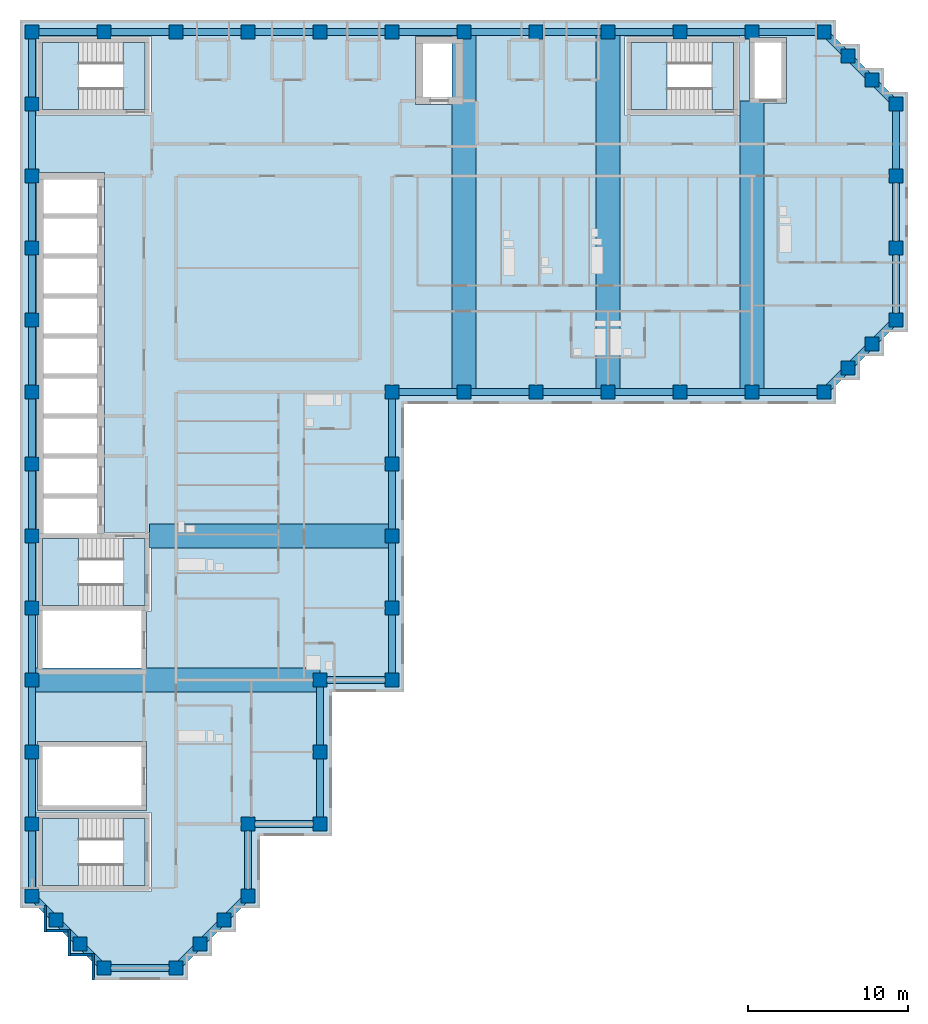
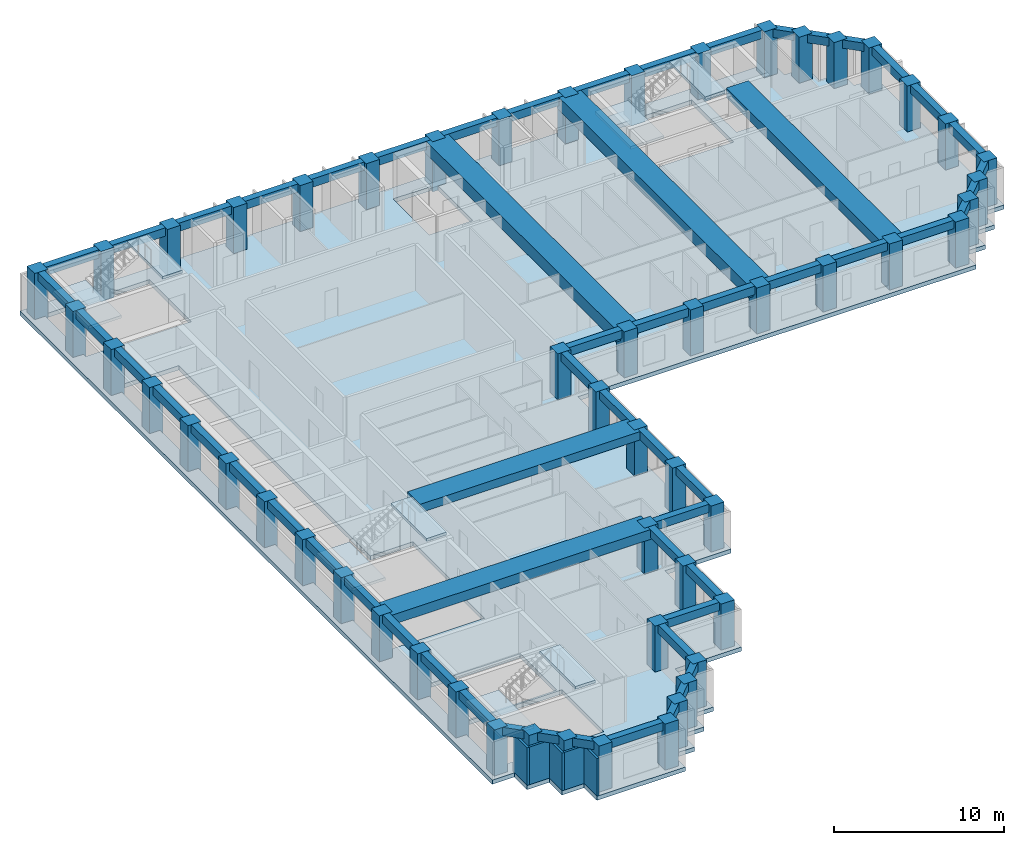
# One storey, part 1 of 10: 59 beams, 54 columns, 9 slabs, 5 walls, 4 elements without a shape of their own.
"""IFC4 building model written with IfcOpenShell, lengths in metres."""

from ifc_helpers import new_model, si_unit, direction, frame, frame_2d, origin, origin_2d, place, context, subcontext, project, spatial, polyline, rectangle, outline, extrude, material, layer, layer_set, material_profile, profile_set, type_object, element, aggregate, save


model = new_model("IFC4")

# Units and contexts
model_context = context("Model", 3, precision=1e-05, world=origin(), true_north=direction((0.0, 1.0)))
body_context = subcontext(model_context, "Body", "Model", "MODEL_VIEW")
ifc_project = project(units=[si_unit("LENGTHUNIT", "METRE"), si_unit("AREAUNIT", "SQUARE_METRE"), si_unit("VOLUMEUNIT", "CUBIC_METRE"), si_unit("PLANEANGLEUNIT", "RADIAN"), si_unit("MASSUNIT", "GRAM", prefix="KILO")], contexts=[model_context])

# Site, building, storey
site_placement = place(None, origin())
site = spatial("IfcSite", under=ifc_project, at=site_placement, CompositionType="ELEMENT")
building_placement = place(site_placement, origin())
building = spatial("IfcBuilding", under=site, at=building_placement, Name="Firuza Court", CompositionType="ELEMENT")
storey_placement = place(building_placement, frame((0.0, 0.0, 197.0)))
storey = spatial("IfcBuildingStorey", under=building, at=storey_placement, Name="L50", CompositionType="ELEMENT", Elevation=197.0)

# Columns
ifc_material_1 = material(Name="Concrete C50/60", Category="concrete")
ifc_material_profile_1 = material_profile(ifc_material_1, rectangle(XDim=0.89990234375, YDim=0.89990234375, at=origin_2d()), Name="RC 900x900")
ifc_profile_set_1 = profile_set([ifc_material_profile_1], Name="Concrete C50/60")
column_type = type_object("IfcColumnType", Name="Tube column RC 900x900 C50/60", PredefinedType="COLUMN", material=ifc_profile_set_1)
for number, where, z_axis, x_axis, name in (
    (1, (4.5, 0.0, -0.300048828125), (0.0, 0.0, 1.0), (1.0, 0.0, 0.0), "Column C-2D L50"),
    (2, (9.0, 0.0, -0.300048828125), (0.0, 0.0, 1.0), (1.0, 0.0, 0.0), "Column C-3D L50"),
    (3, (3.0, 1.5, -0.300048828125), (0.0, 0.0, 1.0), (1.0, 0.0, 0.0), "Column C-SA1 L50"),
    (4, (10.5, 1.5, -0.300048828125), (0.0, 0.0, 1.0), (1.0, 0.0, 0.0), "Column C-SA2 L50"),
    (5, (1.5, 3.0, -0.300048828125), (0.0, 0.0, 1.0), (1.0, 0.0, 0.0), "Column C-SA3 L50"),
    (6, (12.0, 3.0, -0.300048828125), (0.0, 0.0, 1.0), (1.0, 0.0, 0.0), "Column C-SA4 L50"),
    (7, (0.0, 4.5, -0.300048828125), (0.0, 0.0, 1.0), (1.0, 0.0, 0.0), "Column C-1E L50"),
    (8, (13.5, 4.5, -0.300048828125), (0.0, 0.0, 1.0), (1.0, 0.0, 0.0), "Column C-4E L50"),
    (9, (0.0, 9.0, -0.300048828125), (0.0, 0.0, 1.0), (1.0, 0.0, 0.0), "Column C-1F L50"),
    (10, (13.5, 9.0, -0.300048828125), (0.0, 0.0, 1.0), (1.0, 0.0, 0.0), "Column C-4F L50"),
    (11, (18.0, 9.0, -0.300048828125), (0.0, 0.0, 1.0), (1.0, 0.0, 0.0), "Column C-5F L50"),
    (12, (0.0, 13.5, -0.300048828125), (0.0, 0.0, 1.0), (1.0, 0.0, 0.0), "Column C-1G L50"),
    (13, (18.0, 13.5, -0.300048828125), (0.0, 0.0, 1.0), (1.0, 0.0, 0.0), "Column C-5G L50"),
    (14, (0.0, 18.0, -0.300048828125), (0.0, 0.0, 1.0), (1.0, 0.0, 0.0), "Column C-1H L50"),
    (15, (18.0, 18.0, -0.300048828125), (0.0, 0.0, 1.0), (1.0, 0.0, 0.0), "Column C-5H L50"),
    (16, (22.5, 18.0, -0.300048828125), (0.0, 0.0, 1.0), (1.0, 0.0, 0.0), "Column C-6H L50"),
    (17, (0.0, 22.5, -0.300048828125), (0.0, 0.0, 1.0), (1.0, 0.0, 0.0), "Column C-1J L50"),
    (18, (22.5, 22.5, -0.300048828125), (0.0, 0.0, 1.0), (1.0, 0.0, 0.0), "Column C-6J L50"),
    (19, (0.0, 27.0, -0.300048828125), (0.0, 0.0, 1.0), (1.0, 0.0, 0.0), "Column C-1K L50"),
    (20, (22.5, 27.0, -0.300048828125), (0.0, 0.0, 1.0), (1.0, 0.0, 0.0), "Column C-6K L50"),
    (21, (0.0, 31.5, -0.300048828125), (0.0, 0.0, 1.0), (1.0, 0.0, 0.0), "Column C-1L L50"),
    (22, (22.5, 31.5, -0.300048828125), (0.0, 0.0, 1.0), (1.0, 0.0, 0.0), "Column C-6L L50"),
    (23, (0.0, 36.0, -0.300048828125), (0.0, 0.0, 1.0), (1.0, 0.0, 0.0), "Column C-1M L50"),
    (24, (22.5, 36.0, -0.300048828125), (0.0, 0.0, 1.0), (1.0, 0.0, 0.0), "Column C-6M L50"),
    (25, (27.0, 36.0, -0.300048828125), (0.0, 0.0, 1.0), (1.0, 0.0, 0.0), "Column C-7M L50"),
    (26, (31.5, 36.0, -0.300048828125), (0.0, 0.0, 1.0), (1.0, 0.0, 0.0), "Column C-8M L50"),
    (27, (36.0, 36.0, -0.300048828125), (0.0, 0.0, 1.0), (1.0, 0.0, 0.0), "Column C-9M L50"),
    (28, (40.5, 36.0, -0.300048828125), (0.0, 0.0, 1.0), (1.0, 0.0, 0.0), "Column C-10M L50"),
    (29, (45.0, 36.0, -0.300048828125), (0.0, 0.0, 1.0), (1.0, 0.0, 0.0), "Column C-11M L50"),
    (30, (49.5, 36.0, -0.300048828125), (0.0, 0.0, 1.0), (1.0, 0.0, 0.0), "Column C-12M L50"),
    (31, (51.0, 37.5, -0.300048828125), (0.0, 0.0, 1.0), (1.0, 0.0, 0.0), "Column C-SA5 L50"),
    (32, (52.5, 39.0, -0.300048828125), (0.0, 0.0, 1.0), (1.0, 0.0, 0.0), "Column C-SA6 L50"),
    (33, (0.0, 40.5, -0.300048828125), (0.0, 0.0, 1.0), (1.0, 0.0, 0.0), "Column C-1N L50"),
    (34, (54.0, 40.5, -0.300048828125), (0.0, 0.0, 1.0), (1.0, 0.0, 0.0), "Column C-13N L50"),
    (35, (0.0, 45.0, -0.300048828125), (0.0, 0.0, 1.0), (1.0, 0.0, 0.0), "Column C-1P L50"),
    (36, (54.0, 45.0, -0.300048828125), (0.0, 0.0, 1.0), (1.0, 0.0, 0.0), "Column C-13P L50"),
    (37, (0.0, 49.5, -0.300048828125), (0.0, 0.0, 1.0), (1.0, 0.0, 0.0), "Column C-1Q L50"),
    (38, (54.0, 49.5, -0.300048828125), (0.0, 0.0, 1.0), (1.0, 0.0, 0.0), "Column C-13Q L50"),
    (39, (0.0, 54.0, -0.300048828125), (0.0, 0.0, 1.0), (1.0, 0.0, 0.0), "Column C-1R L50"),
    (40, (54.0, 54.0, -0.300048828125), (0.0, 0.0, 1.0), (1.0, 0.0, 0.0), "Column C-13R L50"),
    (41, (52.5, 55.5, -0.300048828125), (0.0, 0.0, 1.0), (1.0, 0.0, 0.0), "Column C-SA7 L50"),
    (42, (51.0, 57.0, -0.300048828125), (0.0, 0.0, 1.0), (1.0, 0.0, 0.0), "Column C-SA8 L50"),
    (43, (0.0, 58.5, -0.300048828125), (0.0, 0.0, 1.0), (1.0, 0.0, 0.0), "Column C-1S L50"),
    (44, (4.5, 58.5, -0.300048828125), (0.0, 0.0, 1.0), (1.0, 0.0, 0.0), "Column C-2S L50"),
    (45, (9.0, 58.5, -0.300048828125), (0.0, 0.0, 1.0), (1.0, 0.0, 0.0), "Column C-3S L50"),
    (46, (13.5, 58.5, -0.300048828125), (0.0, 0.0, 1.0), (1.0, 0.0, 0.0), "Column C-4S L50"),
    (47, (18.0, 58.5, -0.300048828125), (0.0, 0.0, 1.0), (1.0, 0.0, 0.0), "Column C-5S L50"),
    (48, (22.5, 58.5, -0.300048828125), (0.0, 0.0, 1.0), (1.0, 0.0, 0.0), "Column C-6S L50"),
    (49, (27.0, 58.5, -0.300048828125), (0.0, 0.0, 1.0), (1.0, 0.0, 0.0), "Column C-7S L50"),
    (50, (31.5, 58.5, -0.300048828125), (0.0, 0.0, 1.0), (1.0, 0.0, 0.0), "Column C-8S L50"),
    (51, (36.0, 58.5, -0.300048828125), (0.0, 0.0, 1.0), (1.0, 0.0, 0.0), "Column C-9S L50"),
    (52, (40.5, 58.5, -0.300048828125), (0.0, 0.0, 1.0), (1.0, 0.0, 0.0), "Column C-10S L50"),
    (53, (45.0, 58.5, -0.300048828125), (0.0, 0.0, 1.0), (1.0, 0.0, 0.0), "Column C-11S L50"),
    (54, (49.5, 58.5, -0.300048828125), (0.0, 0.0, 1.0), (1.0, 0.0, 0.0), "Column C-12S L50"),
):
    element("IfcColumn", number, at=place(storey_placement, frame(where, z_axis=z_axis, x_axis=x_axis)), inside=storey, type_object=column_type, Name=name, PredefinedType="COLUMN", context=body_context, shape_type="SweptSolid", body=[
        extrude(rectangle(XDim=0.89990234375, YDim=0.89990234375, at=origin_2d()), origin(), (0.0, 0.0, 1.0), 3.60009765625),
    ])

# Beams
ifc_material_2 = material(Name="Concrete C40/50", Category="concrete")
ifc_material_profile_2 = material_profile(ifc_material_2, rectangle(XDim=1.5, YDim=0.60009765625, at=origin_2d()), Name="RC 1500x600")
ifc_profile_set_2 = profile_set([ifc_material_profile_2], Name="Concrete C40/50")
beam_type_1 = type_object("IfcBeamType", Name="Band beam RC 1500x600 C40/50", PredefinedType="BEAM", material=ifc_profile_set_2)
beam_1_placement = place(storey_placement, frame((22.5, 27.0, 3.0), z_axis=(-1.0, 0.0, 0.0), x_axis=(0.0, -1.0, 0.0)))
element("IfcBeam", 55, at=beam_1_placement, inside=storey, type_object=beam_type_1, Name="Band beam FB3 level L51", PredefinedType="BEAM", context=body_context, shape_type="SweptSolid", body=[
    extrude(rectangle(XDim=1.5, YDim=0.60009765625, at=origin_2d()), origin(), (0.0, 0.0, 1.0), 15.14990234375),
])
ifc_material_3 = material(Name="Concrete C40/50", Category="concrete")
ifc_material_profile_3 = material_profile(ifc_material_3, rectangle(XDim=1.5, YDim=0.699951171875, at=origin_2d()), Name="RC 1500x700")
ifc_profile_set_3 = profile_set([ifc_material_profile_3], Name="Concrete C40/50")
beam_type_2 = type_object("IfcBeamType", Name="Band beam RC 1500x700 C40/50", PredefinedType="BEAM", material=ifc_profile_set_3)
beam_2_placement = place(storey_placement, frame((0.0, 18.0, 2.949951171875), z_axis=(1.0, 0.0, 0.0), x_axis=(0.0, 1.0, 0.0)))
element("IfcBeam", 56, at=beam_2_placement, inside=storey, type_object=beam_type_2, Name="Band beam FB1 level L51", PredefinedType="BEAM", context=body_context, shape_type="SweptSolid", body=[
    extrude(rectangle(XDim=1.5, YDim=0.699951171875, at=origin_2d()), origin(), (0.0, 0.0, 1.0), 18.0),
])
beam_3_placement = place(storey_placement, frame((45.0, 36.0, 2.949951171875), z_axis=(0.0, 1.0, 0.0), x_axis=(-1.0, 0.0, 0.0)))
element("IfcBeam", 57, at=beam_3_placement, inside=storey, type_object=beam_type_2, Name="Band beam FB1 level L51", PredefinedType="BEAM", context=body_context, shape_type="SweptSolid", body=[
    extrude(rectangle(XDim=1.5, YDim=0.699951171875, at=origin_2d()), origin(), (0.0, 0.0, 1.0), 18.199951171875),
])
ifc_material_4 = material(Name="Concrete C40/50", Category="concrete")
ifc_material_profile_4 = material_profile(ifc_material_4, rectangle(XDim=1.5, YDim=0.89990234375, at=origin_2d()), Name="RC 1500x900")
ifc_profile_set_4 = profile_set([ifc_material_profile_4], Name="Concrete C40/50")
beam_type_3 = type_object("IfcBeamType", Name="Band beam RC 1500x900 C40/50", PredefinedType="BEAM", material=ifc_profile_set_4)
for number, where, z_axis, x_axis, name in (
    (58, (27.0, 36.0, 2.85009765625), (0.0, 1.0, 0.0), (-1.0, 0.0, 0.0), "Band beam FB2 level L51"),
    (59, (36.0, 36.0, 2.85009765625), (0.0, 1.0, 0.0), (-1.0, 0.0, 0.0), "Band beam FB2 level L51"),
):
    element("IfcBeam", number, at=place(storey_placement, frame(where, z_axis=z_axis, x_axis=x_axis)), inside=storey, type_object=beam_type_3, Name=name, PredefinedType="BEAM", context=body_context, shape_type="SweptSolid", body=[
        extrude(rectangle(XDim=1.5, YDim=0.89990234375, at=origin_2d()), origin(), (0.0, 0.0, 1.0), 22.5),
    ])
ifc_material_5 = material(Name="Concrete C40/50", Category="concrete")
ifc_material_profile_5 = material_profile(ifc_material_5, rectangle(XDim=0.449951171875, YDim=0.60009765625, at=origin_2d()), Name="RC 450x600")
ifc_profile_set_5 = profile_set([ifc_material_profile_5], Name="Concrete C40/50")
beam_type_4 = type_object("IfcBeamType", Name="Spandrel beam RC 450x600 C40/50", PredefinedType="BEAM", material=ifc_profile_set_5)
beam_4_placement = place(storey_placement, frame((0.0, 4.5, 3.0), z_axis=(0.707106781187, -0.707106781187, 0.0), x_axis=(0.707106781187, 0.707106781187, 0.0)))
element("IfcBeam", 60, at=beam_4_placement, inside=storey, type_object=beam_type_4, Name="Spandrel beam SP15 level L51", PredefinedType="BEAM", context=body_context, shape_type="SweptSolid", body=[
    extrude(rectangle(XDim=0.449951171875, YDim=0.60009765625, at=origin_2d()), origin(), (0.0, 0.0, 1.0), 2.121337890625),
])
for number, where, z_axis, x_axis, name in (
    (61, (0.0, 9.0, 3.0), (0.0, -1.0, 0.0), (1.0, 0.0, 0.0), "Spandrel beam SP15 level L51"),
    (62, (0.0, 13.5, 3.0), (0.0, -1.0, 0.0), (1.0, 0.0, 0.0), "Spandrel beam SP15 level L51"),
    (63, (0.0, 18.0, 3.0), (0.0, -1.0, 0.0), (1.0, 0.0, 0.0), "Spandrel beam SP15 level L51"),
    (64, (0.0, 22.5, 3.0), (0.0, -1.0, 0.0), (1.0, 0.0, 0.0), "Spandrel beam SP15 level L51"),
    (65, (0.0, 27.0, 3.0), (0.0, -1.0, 0.0), (1.0, 0.0, 0.0), "Spandrel beam SP15 level L51"),
    (66, (0.0, 31.5, 3.0), (0.0, -1.0, 0.0), (1.0, 0.0, 0.0), "Spandrel beam SP15 level L51"),
    (67, (0.0, 36.0, 3.0), (0.0, -1.0, 0.0), (1.0, 0.0, 0.0), "Spandrel beam SP15 level L51"),
    (68, (0.0, 40.5, 3.0), (0.0, -1.0, 0.0), (1.0, 0.0, 0.0), "Spandrel beam SP15 level L51"),
    (69, (0.0, 45.0, 3.0), (0.0, -1.0, 0.0), (1.0, 0.0, 0.0), "Spandrel beam SP15 level L51"),
    (70, (0.0, 49.5, 3.0), (0.0, -1.0, 0.0), (1.0, 0.0, 0.0), "Spandrel beam SP15 level L51"),
    (71, (0.0, 54.0, 3.0), (0.0, -1.0, 0.0), (1.0, 0.0, 0.0), "Spandrel beam SP15 level L51"),
    (72, (0.0, 58.5, 3.0), (0.0, -1.0, 0.0), (1.0, 0.0, 0.0), "Spandrel beam SP15 level L51"),
):
    element("IfcBeam", number, at=place(storey_placement, frame(where, z_axis=z_axis, x_axis=x_axis)), inside=storey, type_object=beam_type_4, Name=name, PredefinedType="BEAM", context=body_context, shape_type="SweptSolid", body=[
        extrude(rectangle(XDim=0.449951171875, YDim=0.60009765625, at=origin_2d()), origin(), (0.0, 0.0, 1.0), 4.5),
    ])
for number, where, z_axis, x_axis, name in (
    (73, (1.5, 3.0, 3.0), (0.707106781187, -0.707106781187, 0.0), (0.707106781187, 0.707106781187, 0.0), "Spandrel beam SP15 level L51"),
    (74, (3.0, 1.5, 3.0), (0.707106781187, -0.707106781187, 0.0), (0.707106781187, 0.707106781187, 0.0), "Spandrel beam SP15 level L51"),
):
    element("IfcBeam", number, at=place(storey_placement, frame(where, z_axis=z_axis, x_axis=x_axis)), inside=storey, type_object=beam_type_4, Name=name, PredefinedType="BEAM", context=body_context, shape_type="SweptSolid", body=[
        extrude(rectangle(XDim=0.449951171875, YDim=0.60009765625, at=origin_2d()), origin(), (0.0, 0.0, 1.0), 2.121337890625),
    ])
for number, where, z_axis, x_axis, name in (
    (75, (4.5, 0.0, 3.0), (1.0, 0.0, 0.0), (0.0, 1.0, 0.0), "Spandrel beam SP15 level L51"),
    (76, (4.5, 58.5, 3.0), (-1.0, 0.0, 0.0), (0.0, -1.0, 0.0), "Spandrel beam SP15 level L51"),
):
    element("IfcBeam", number, at=place(storey_placement, frame(where, z_axis=z_axis, x_axis=x_axis)), inside=storey, type_object=beam_type_4, Name=name, PredefinedType="BEAM", context=body_context, shape_type="SweptSolid", body=[
        extrude(rectangle(XDim=0.449951171875, YDim=0.60009765625, at=origin_2d()), origin(), (0.0, 0.0, 1.0), 4.5),
    ])
beam_5_placement = place(storey_placement, frame((9.0, 0.0, 3.0), z_axis=(0.707106781187, 0.707106781187, 0.0), x_axis=(-0.707106781187, 0.707106781187, 0.0)))
element("IfcBeam", 77, at=beam_5_placement, inside=storey, type_object=beam_type_4, Name="Spandrel beam SP15 level L51", PredefinedType="BEAM", context=body_context, shape_type="SweptSolid", body=[
    extrude(rectangle(XDim=0.449951171875, YDim=0.60009765625, at=origin_2d()), origin(), (0.0, 0.0, 1.0), 2.121337890625),
])
beam_6_placement = place(storey_placement, frame((9.0, 58.5, 3.0), z_axis=(-1.0, 0.0, 0.0), x_axis=(0.0, -1.0, 0.0)))
element("IfcBeam", 78, at=beam_6_placement, inside=storey, type_object=beam_type_4, Name="Spandrel beam SP15 level L51", PredefinedType="BEAM", context=body_context, shape_type="SweptSolid", body=[
    extrude(rectangle(XDim=0.449951171875, YDim=0.60009765625, at=origin_2d()), origin(), (0.0, 0.0, 1.0), 4.5),
])
for number, where, z_axis, x_axis, name in (
    (79, (10.5, 1.5, 3.0), (0.707106781187, 0.707106781187, 0.0), (-0.707106781187, 0.707106781187, 0.0), "Spandrel beam SP15 level L51"),
    (80, (12.0, 3.0, 3.0), (0.707106781187, 0.707106781187, 0.0), (-0.707106781187, 0.707106781187, 0.0), "Spandrel beam SP15 level L51"),
):
    element("IfcBeam", number, at=place(storey_placement, frame(where, z_axis=z_axis, x_axis=x_axis)), inside=storey, type_object=beam_type_4, Name=name, PredefinedType="BEAM", context=body_context, shape_type="SweptSolid", body=[
        extrude(rectangle(XDim=0.449951171875, YDim=0.60009765625, at=origin_2d()), origin(), (0.0, 0.0, 1.0), 2.121337890625),
    ])
for number, where, z_axis, x_axis, name in (
    (81, (13.5, 4.5, 3.0), (0.0, 1.0, 0.0), (-1.0, 0.0, 0.0), "Spandrel beam SP15 level L51"),
    (82, (13.5, 9.0, 3.0), (1.0, 0.0, 0.0), (0.0, 1.0, 0.0), "Spandrel beam SP15 level L51"),
    (83, (13.5, 58.5, 3.0), (-1.0, 0.0, 0.0), (0.0, -1.0, 0.0), "Spandrel beam SP15 level L51"),
    (84, (18.0, 9.0, 3.0), (0.0, 1.0, 0.0), (-1.0, 0.0, 0.0), "Spandrel beam SP15 level L51"),
    (85, (18.0, 13.5, 3.0), (0.0, 1.0, 0.0), (-1.0, 0.0, 0.0), "Spandrel beam SP15 level L51"),
    (86, (18.0, 18.0, 3.0), (1.0, 0.0, 0.0), (0.0, 1.0, 0.0), "Spandrel beam SP15 level L51"),
    (87, (18.0, 58.5, 3.0), (-1.0, 0.0, 0.0), (0.0, -1.0, 0.0), "Spandrel beam SP15 level L51"),
    (88, (22.5, 18.0, 3.0), (0.0, 1.0, 0.0), (-1.0, 0.0, 0.0), "Spandrel beam SP15 level L51"),
    (89, (22.5, 22.5, 3.0), (0.0, 1.0, 0.0), (-1.0, 0.0, 0.0), "Spandrel beam SP15 level L51"),
    (90, (22.5, 27.0, 3.0), (0.0, 1.0, 0.0), (-1.0, 0.0, 0.0), "Spandrel beam SP15 level L51"),
    (91, (22.5, 31.5, 3.0), (0.0, 1.0, 0.0), (-1.0, 0.0, 0.0), "Spandrel beam SP15 level L51"),
    (92, (22.5, 36.0, 3.0), (1.0, 0.0, 0.0), (0.0, 1.0, 0.0), "Spandrel beam SP15 level L51"),
    (93, (22.5, 58.5, 3.0), (-1.0, 0.0, 0.0), (0.0, -1.0, 0.0), "Spandrel beam SP15 level L51"),
    (94, (27.0, 36.0, 3.0), (1.0, 0.0, 0.0), (0.0, 1.0, 0.0), "Spandrel beam SP15 level L51"),
    (95, (27.0, 58.5, 3.0), (-1.0, 0.0, 0.0), (0.0, -1.0, 0.0), "Spandrel beam SP15 level L51"),
    (96, (31.5, 36.0, 3.0), (1.0, 0.0, 0.0), (0.0, 1.0, 0.0), "Spandrel beam SP15 level L51"),
    (97, (31.5, 58.5, 3.0), (-1.0, 0.0, 0.0), (0.0, -1.0, 0.0), "Spandrel beam SP15 level L51"),
    (98, (36.0, 36.0, 3.0), (1.0, 0.0, 0.0), (0.0, 1.0, 0.0), "Spandrel beam SP15 level L51"),
    (99, (36.0, 58.5, 3.0), (-1.0, 0.0, 0.0), (0.0, -1.0, 0.0), "Spandrel beam SP15 level L51"),
    (100, (40.5, 36.0, 3.0), (1.0, 0.0, 0.0), (0.0, 1.0, 0.0), "Spandrel beam SP15 level L51"),
    (101, (40.5, 58.5, 3.0), (-1.0, 0.0, 0.0), (0.0, -1.0, 0.0), "Spandrel beam SP15 level L51"),
    (102, (45.0, 36.0, 3.0), (1.0, 0.0, 0.0), (0.0, 1.0, 0.0), "Spandrel beam SP15 level L51"),
    (103, (45.0, 58.5, 3.0), (-1.0, 0.0, 0.0), (0.0, -1.0, 0.0), "Spandrel beam SP15 level L51"),
):
    element("IfcBeam", number, at=place(storey_placement, frame(where, z_axis=z_axis, x_axis=x_axis)), inside=storey, type_object=beam_type_4, Name=name, PredefinedType="BEAM", context=body_context, shape_type="SweptSolid", body=[
        extrude(rectangle(XDim=0.449951171875, YDim=0.60009765625, at=origin_2d()), origin(), (0.0, 0.0, 1.0), 4.5),
    ])
beam_7_placement = place(storey_placement, frame((49.5, 36.0, 3.0), z_axis=(0.707106781187, 0.707106781187, 0.0), x_axis=(-0.707106781187, 0.707106781187, 0.0)))
element("IfcBeam", 104, at=beam_7_placement, inside=storey, type_object=beam_type_4, Name="Spandrel beam SP15 level L51", PredefinedType="BEAM", context=body_context, shape_type="SweptSolid", body=[
    extrude(rectangle(XDim=0.449951171875, YDim=0.60009765625, at=origin_2d()), origin(), (0.0, 0.0, 1.0), 2.121337890625),
])
beam_8_placement = place(storey_placement, frame((49.5, 58.5, 3.0), z_axis=(-1.0, 0.0, 0.0), x_axis=(0.0, -1.0, 0.0)))
element("IfcBeam", 105, at=beam_8_placement, inside=storey, type_object=beam_type_4, Name="Spandrel beam SP15 level L51", PredefinedType="BEAM", context=body_context, shape_type="SweptSolid", body=[
    extrude(rectangle(XDim=0.449951171875, YDim=0.60009765625, at=origin_2d()), origin(), (0.0, 0.0, 1.0), 4.5),
])
for number, where, z_axis, x_axis, name in (
    (106, (51.0, 37.5, 3.0), (0.707106781187, 0.707106781187, 0.0), (-0.707106781187, 0.707106781187, 0.0), "Spandrel beam SP15 level L51"),
    (107, (51.0, 57.0, 3.0), (-0.707106781187, 0.707106781187, 0.0), (-0.707106781187, -0.707106781187, 0.0), "Spandrel beam SP15 level L51"),
    (108, (52.5, 39.0, 3.0), (0.707106781187, 0.707106781187, 0.0), (-0.707106781187, 0.707106781187, 0.0), "Spandrel beam SP15 level L51"),
    (109, (52.5, 55.5, 3.0), (-0.707106781187, 0.707106781187, 0.0), (-0.707106781187, -0.707106781187, 0.0), "Spandrel beam SP15 level L51"),
):
    element("IfcBeam", number, at=place(storey_placement, frame(where, z_axis=z_axis, x_axis=x_axis)), inside=storey, type_object=beam_type_4, Name=name, PredefinedType="BEAM", context=body_context, shape_type="SweptSolid", body=[
        extrude(rectangle(XDim=0.449951171875, YDim=0.60009765625, at=origin_2d()), origin(), (0.0, 0.0, 1.0), 2.121337890625),
    ])
for number, where, z_axis, x_axis, name in (
    (110, (54.0, 40.5, 3.0), (0.0, 1.0, 0.0), (-1.0, 0.0, 0.0), "Spandrel beam SP15 level L51"),
    (111, (54.0, 45.0, 3.0), (0.0, 1.0, 0.0), (-1.0, 0.0, 0.0), "Spandrel beam SP15 level L51"),
    (112, (54.0, 49.5, 3.0), (0.0, 1.0, 0.0), (-1.0, 0.0, 0.0), "Spandrel beam SP15 level L51"),
):
    element("IfcBeam", number, at=place(storey_placement, frame(where, z_axis=z_axis, x_axis=x_axis)), inside=storey, type_object=beam_type_4, Name=name, PredefinedType="BEAM", context=body_context, shape_type="SweptSolid", body=[
        extrude(rectangle(XDim=0.449951171875, YDim=0.60009765625, at=origin_2d()), origin(), (0.0, 0.0, 1.0), 4.5),
    ])
beam_9_placement = place(storey_placement, frame((54.0, 54.0, 3.0), z_axis=(-0.707106781187, 0.707106781187, 0.0), x_axis=(-0.707106781187, -0.707106781187, 0.0)))
element("IfcBeam", 113, at=beam_9_placement, inside=storey, type_object=beam_type_4, Name="Spandrel beam SP15 level L51", PredefinedType="BEAM", context=body_context, shape_type="SweptSolid", body=[
    extrude(rectangle(XDim=0.449951171875, YDim=0.60009765625, at=origin_2d()), origin(), (0.0, 0.0, 1.0), 2.121337890625),
])

# Slab
ifc_material_6 = material(Name="Concrete C40/50", Category="concrete")
ifc_layer_1 = layer(ifc_material_6, 0.300048828125)
ifc_layer_set_1 = layer_set([ifc_layer_1], Name="Concrete C40/50")
slab_type_1 = type_object("IfcSlabType", Name="Floor slab 300 C40/50", PredefinedType="FLOOR", material=ifc_layer_set_1)
slab_1_placement = place(storey_placement, frame((0.0, 0.0, -0.300048828125)))
element("IfcSlab", 114, at=slab_1_placement, inside=storey, type_object=slab_type_1, Name="Floor slab L50", PredefinedType="FLOOR", context=body_context, shape_type="SweptSolid", body=[
    extrude(outline(polyline([(-0.75, 59.25), (50.25, 59.25), (50.25, 57.75), (51.75, 57.75), (51.75, 56.25), (53.25, 56.25), (53.25, 54.75), (54.75, 54.75), (54.75, 39.75), (53.25, 39.75), (53.25, 38.25), (51.75, 38.25), (51.75, 36.75), (50.25, 36.75), (50.25, 35.25), (23.25, 35.25), (23.25, 17.25), (18.75, 17.25), (18.75, 8.25), (14.25, 8.25), (14.25, 3.75), (12.75, 3.75), (12.75, 2.25), (11.25, 2.25), (11.25, 0.75), (9.75, 0.75), (9.75, -0.75), (3.75, -0.75), (3.75, 0.75), (2.25, 0.75), (2.25, 2.25), (0.75, 2.25), (0.75, 3.75), (-0.75, 3.75), (-0.75, 59.25)]), holes=[polyline([(0.27490234375, 29.72509765625), (0.27490234375, 29.27490234375), (0.27490234375, 27.22509765625), (0.27490234375, 26.77490234375), (0.27490234375, 22.27490234375), (0.35009765625, 22.27490234375), (0.35009765625, 18.35009765625), (7.14990234375, 18.35009765625), (7.14990234375, 22.27490234375), (7.425048828125, 22.27490234375), (7.425048828125, 27.22509765625), (4.52490234375, 27.22509765625), (4.52490234375, 29.27490234375), (4.52490234375, 29.72509765625), (4.52490234375, 31.77490234375), (4.52490234375, 32.22509765625), (4.52490234375, 34.27490234375), (4.52490234375, 34.72509765625), (4.52490234375, 36.77490234375), (4.52490234375, 37.22509765625), (4.52490234375, 39.27490234375), (4.52490234375, 39.72509765625), (4.52490234375, 41.77490234375), (4.52490234375, 42.22509765625), (4.52490234375, 44.27490234375), (4.52490234375, 44.72509765625), (4.52490234375, 46.77490234375), (4.52490234375, 47.22509765625), (4.52490234375, 49.72509765625), (0.27490234375, 49.72509765625), (0.27490234375, 47.22509765625), (0.27490234375, 46.77490234375), (0.27490234375, 44.72509765625), (0.27490234375, 44.27490234375), (0.27490234375, 42.22509765625), (0.27490234375, 41.77490234375), (0.27490234375, 39.72509765625), (0.27490234375, 39.27490234375), (0.27490234375, 37.22509765625), (0.27490234375, 36.77490234375), (0.27490234375, 34.72509765625), (0.27490234375, 34.27490234375), (0.27490234375, 32.22509765625), (0.27490234375, 31.77490234375), (0.27490234375, 29.72509765625)]), polyline([(7.425048828125, 9.72509765625), (0.27490234375, 9.72509765625), (0.27490234375, 4.77490234375), (7.425048828125, 4.77490234375), (7.425048828125, 9.72509765625)]), polyline([(7.14990234375, 14.14990234375), (0.35009765625, 14.14990234375), (0.35009765625, 9.85009765625), (7.14990234375, 9.85009765625), (7.14990234375, 14.14990234375)]), polyline([(7.425048828125, 58.22509765625), (0.27490234375, 58.22509765625), (0.27490234375, 53.27490234375), (7.425048828125, 53.27490234375), (7.425048828125, 58.22509765625)]), polyline([(44.22509765625, 58.22509765625), (37.074951171875, 58.22509765625), (37.074951171875, 53.27490234375), (44.22509765625, 53.27490234375), (44.22509765625, 58.22509765625)]), polyline([(26.925048828125, 53.97509765625), (26.925048828125, 58.22509765625), (23.97509765625, 58.22509765625), (23.97509765625, 53.97509765625), (26.925048828125, 53.97509765625)]), polyline([(47.14990234375, 54.050048828125), (47.14990234375, 58.14990234375), (44.85009765625, 58.14990234375), (44.85009765625, 54.050048828125), (47.14990234375, 54.050048828125)])]), origin(), (0.0, 0.0, 1.0), 0.300048828125),
])

# Stair, slabs
ifc_material_7 = material(Name="Concrete C40/50 precast", Category="concrete")
stair_type = type_object("IfcStairType", Name="Stair 1350 x 3600 2 flights", PredefinedType="HALF_TURN_STAIR", material=ifc_material_7)
stair_1_placement = place(storey_placement, origin())
stair_1 = element("IfcStair", 115, at=stair_1_placement, inside=storey, type_object=stair_type, Name="Stair 1 L50", PredefinedType="HALF_TURN_STAIR")
ifc_material_8 = material(Name="Concrete C40/50 precast", Category="concrete")
ifc_layer_2 = layer(ifc_material_8, 0.199951171875)
ifc_layer_set_2 = layer_set([ifc_layer_2], Name="Concrete C40/50 precast")
slab_type_2 = type_object("IfcSlabType", Name="Stair landing 200", PredefinedType="LANDING", material=ifc_layer_set_2)
slab_2_placement = place(storey_placement, frame((0.0, 0.0, 1.60009765625)))
slab_2 = element("IfcSlab", 116, at=slab_2_placement, type_object=slab_type_2, Name="S1 landing 1", PredefinedType="LANDING", context=body_context, shape_type="SweptSolid", body=[
    extrude(outline(polyline([(39.699951171875, 53.64990234375), (39.699951171875, 57.85009765625), (37.449951171875, 57.85009765625), (37.449951171875, 53.64990234375), (39.699951171875, 53.64990234375)])), origin(), (0.0, 0.0, 1.0), 0.199951171875),
])
slab_3_placement = place(storey_placement, frame((0.0, 0.0, 3.39990234375)))
slab_3 = element("IfcSlab", 117, at=slab_3_placement, type_object=slab_type_2, Name="S1 landing 2", PredefinedType="LANDING", context=body_context, shape_type="SweptSolid", body=[
    extrude(outline(polyline([(43.85009765625, 53.64990234375), (43.85009765625, 57.85009765625), (42.5, 57.85009765625), (42.5, 53.64990234375), (43.85009765625, 53.64990234375)])), origin(), (0.0, 0.0, 1.0), 0.2001953125),
])
aggregate(stair_1, [slab_2, slab_3])

stair_2_placement = place(storey_placement, origin())
stair_2 = element("IfcStair", 118, at=stair_2_placement, inside=storey, type_object=stair_type, Name="Stair 2 L50", PredefinedType="HALF_TURN_STAIR")
slab_4_placement = place(storey_placement, frame((0.0, 0.0, 1.60009765625)))
slab_4 = element("IfcSlab", 119, at=slab_4_placement, type_object=slab_type_2, Name="S2 landing 1", PredefinedType="LANDING", context=body_context, shape_type="SweptSolid", body=[
    extrude(outline(polyline([(2.89990234375, 22.64990234375), (2.89990234375, 26.85009765625), (0.64990234375, 26.85009765625), (0.64990234375, 22.64990234375), (2.89990234375, 22.64990234375)])), origin(), (0.0, 0.0, 1.0), 0.199951171875),
])
slab_5_placement = place(storey_placement, frame((0.0, 0.0, 3.39990234375)))
slab_5 = element("IfcSlab", 120, at=slab_5_placement, type_object=slab_type_2, Name="S2 landing 2", PredefinedType="LANDING", context=body_context, shape_type="SweptSolid", body=[
    extrude(outline(polyline([(7.050048828125, 22.64990234375), (7.050048828125, 26.85009765625), (5.699951171875, 26.85009765625), (5.699951171875, 22.64990234375), (7.050048828125, 22.64990234375)])), origin(), (0.0, 0.0, 1.0), 0.2001953125),
])
aggregate(stair_2, [slab_4, slab_5])

stair_3_placement = place(storey_placement, origin())
stair_3 = element("IfcStair", 121, at=stair_3_placement, inside=storey, type_object=stair_type, Name="Stair 3 L50", PredefinedType="HALF_TURN_STAIR")
slab_6_placement = place(storey_placement, frame((0.0, 0.0, 1.60009765625)))
slab_6 = element("IfcSlab", 122, at=slab_6_placement, type_object=slab_type_2, Name="S3 landing 1", PredefinedType="LANDING", context=body_context, shape_type="SweptSolid", body=[
    extrude(outline(polyline([(2.89990234375, 53.64990234375), (2.89990234375, 57.85009765625), (0.64990234375, 57.85009765625), (0.64990234375, 53.64990234375), (2.89990234375, 53.64990234375)])), origin(), (0.0, 0.0, 1.0), 0.199951171875),
])
slab_7_placement = place(storey_placement, frame((0.0, 0.0, 3.39990234375)))
slab_7 = element("IfcSlab", 123, at=slab_7_placement, type_object=slab_type_2, Name="S3 landing 2", PredefinedType="LANDING", context=body_context, shape_type="SweptSolid", body=[
    extrude(outline(polyline([(7.050048828125, 53.64990234375), (7.050048828125, 57.85009765625), (5.699951171875, 57.85009765625), (5.699951171875, 53.64990234375), (7.050048828125, 53.64990234375)])), origin(), (0.0, 0.0, 1.0), 0.2001953125),
])
aggregate(stair_3, [slab_6, slab_7])

stair_4_placement = place(storey_placement, origin())
stair_4 = element("IfcStair", 124, at=stair_4_placement, inside=storey, type_object=stair_type, Name="Stair 5 L50", PredefinedType="HALF_TURN_STAIR")
slab_8_placement = place(storey_placement, frame((0.0, 0.0, 1.60009765625)))
slab_8 = element("IfcSlab", 125, at=slab_8_placement, type_object=slab_type_2, Name="S5 landing 1", PredefinedType="LANDING", context=body_context, shape_type="SweptSolid", body=[
    extrude(outline(polyline([(2.89990234375, 5.14990234375), (2.89990234375, 9.35009765625), (0.64990234375, 9.35009765625), (0.64990234375, 5.14990234375), (2.89990234375, 5.14990234375)])), origin(), (0.0, 0.0, 1.0), 0.199951171875),
])
slab_9_placement = place(storey_placement, frame((0.0, 0.0, 3.39990234375)))
slab_9 = element("IfcSlab", 126, at=slab_9_placement, type_object=slab_type_2, Name="S5 landing 2", PredefinedType="LANDING", context=body_context, shape_type="SweptSolid", body=[
    extrude(outline(polyline([(7.050048828125, 5.14990234375), (7.050048828125, 9.35009765625), (5.699951171875, 9.35009765625), (5.699951171875, 5.14990234375), (7.050048828125, 5.14990234375)])), origin(), (0.0, 0.0, 1.0), 0.2001953125),
])
aggregate(stair_4, [slab_8, slab_9])

# Walls
ifc_material_9 = material(Name="Ceramic tile", Category="ceramic")
ifc_layer_3 = layer(ifc_material_9, 0.02001953125)
ifc_material_10 = material(Name="Mineral wool insulation", Category="insulation")
ifc_layer_4 = layer(ifc_material_10, 0.050048828125)
ifc_layer_5 = layer(ifc_material_8, 0.080078125)
ifc_layer_set_3 = layer_set([ifc_layer_3, ifc_layer_4, ifc_layer_5], Name="Concrete C40/50 precast")
wall_type = type_object("IfcWallType", Name="Precast cladding wall with turquoise TILE PANEL face 150", PredefinedType="STANDARD", material=ifc_layer_set_3)
wall_1_placement = place(storey_placement, frame((0.824951171875, 3.89990234375, 0.0), z_axis=(0.0, 0.0, 1.0), x_axis=(0.0, -1.0, 0.0)))
element("IfcWall", 127, at=wall_1_placement, inside=storey, type_object=wall_type, Name="Facade wall L50 W", PredefinedType="STANDARD", context=body_context, shape_type="SweptSolid", body=[
    extrude(rectangle(XDim=1.64990234375, YDim=0.14990234375, at=frame_2d((0.824951171875, 0.0))), origin(), (0.0, 0.0, 1.0), 2.699951171875),
])
wall_2_placement = place(storey_placement, frame((0.89990234375, 2.324951171875, 0.0), z_axis=(0.0, 0.0, 1.0), x_axis=(1.0, 0.0, 0.0)))
element("IfcWall", 128, at=wall_2_placement, inside=storey, type_object=wall_type, Name="Facade wall L50 S", PredefinedType="STANDARD", context=body_context, shape_type="SweptSolid", body=[
    extrude(rectangle(XDim=1.35009765625, YDim=0.14990234375, at=frame_2d((0.675048828125, 0.0))), origin(), (0.0, 0.0, 1.0), 2.699951171875),
])
wall_3_placement = place(storey_placement, frame((2.324951171875, 2.39990234375, 0.0), z_axis=(0.0, 0.0, 1.0), x_axis=(0.0, -1.0, 0.0)))
element("IfcWall", 129, at=wall_3_placement, inside=storey, type_object=wall_type, Name="Facade wall L50 W", PredefinedType="STANDARD", context=body_context, shape_type="SweptSolid", body=[
    extrude(rectangle(XDim=1.64990234375, YDim=0.14990234375, at=frame_2d((0.824951171875, 0.0))), origin(), (0.0, 0.0, 1.0), 2.699951171875),
])
wall_4_placement = place(storey_placement, frame((2.39990234375, 0.824951171875, 0.0), z_axis=(0.0, 0.0, 1.0), x_axis=(1.0, 0.0, 0.0)))
element("IfcWall", 130, at=wall_4_placement, inside=storey, type_object=wall_type, Name="Facade wall L50 S", PredefinedType="STANDARD", context=body_context, shape_type="SweptSolid", body=[
    extrude(rectangle(XDim=1.35009765625, YDim=0.14990234375, at=frame_2d((0.675048828125, 0.0))), origin(), (0.0, 0.0, 1.0), 2.699951171875),
])
wall_5_placement = place(storey_placement, frame((3.824951171875, 0.89990234375, 0.0), z_axis=(0.0, 0.0, 1.0), x_axis=(0.0, -1.0, 0.0)))
element("IfcWall", 131, at=wall_5_placement, inside=storey, type_object=wall_type, Name="Facade wall L50 W", PredefinedType="STANDARD", context=body_context, shape_type="SweptSolid", body=[
    extrude(rectangle(XDim=1.64990234375, YDim=0.14990234375, at=frame_2d((0.824951171875, 0.0))), origin(), (0.0, 0.0, 1.0), 2.699951171875),
])

save(model, "model.ifc")
